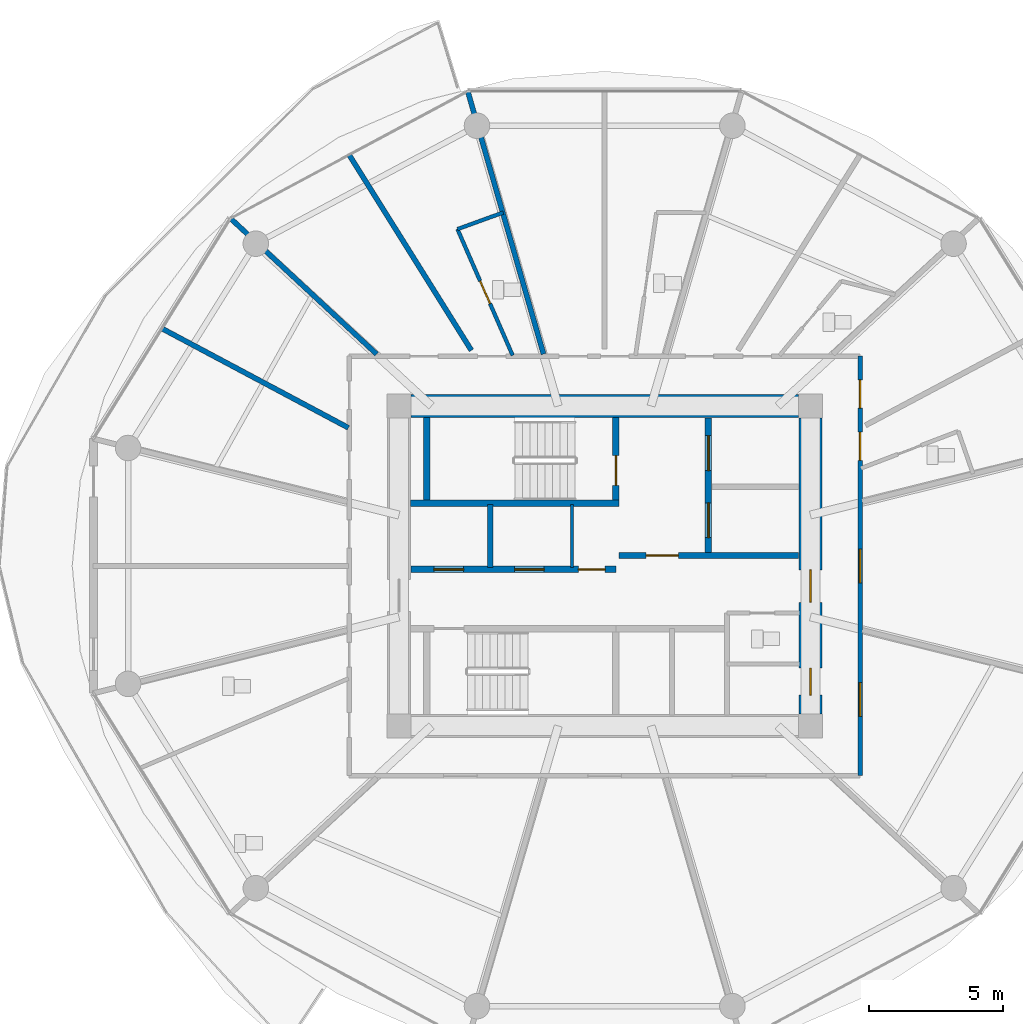
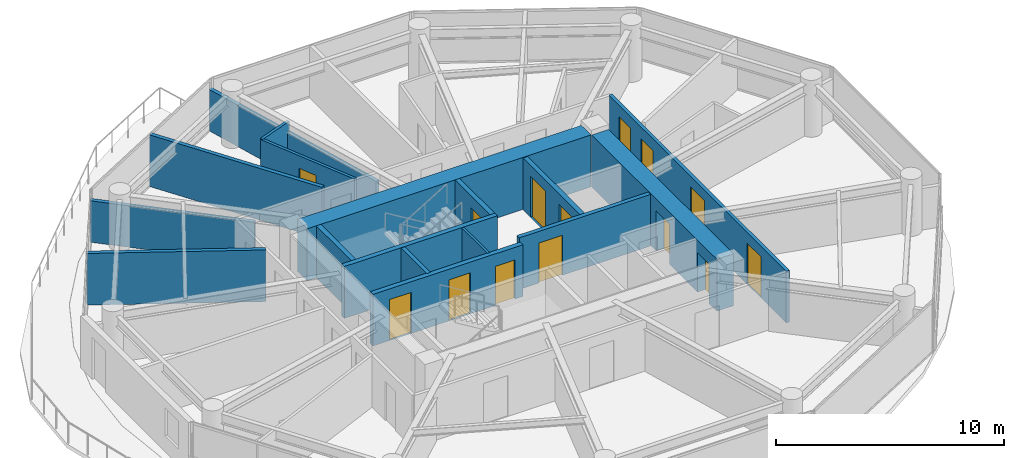
# One storey, part 16 of 27: 17 walls, 14 doors, 14 openings.
"""IFC4 building model written with IfcOpenShell, lengths in metres."""

import ifcopenshell
import ifcopenshell.guid

model = None  # the IFC model being written
_history = None  # IfcOwnerHistory: only IFC2X3 demands one
_inside = {}  # id of a spatial element -> (the spatial element, [elements in it])
_under = {}  # id of a project, library or spatial element -> (it, [spatial elements below it])
_declared = {}  # id of a project -> (the project, [libraries it declares])
_typed = {}  # id of a type object -> (the type object, [elements of that type])
_made_of = {}  # id of a material, layer set ... -> (it, [elements and type objects made of it])


def new_model(schema):
    """Start an empty IFC model of exactly this schema.

    Asked for "IFC4X3", IfcOpenShell would pick the latest addendum, in which some entities
    have other attributes; the version numbers below select the first issue.
    IFC2X3 requires an IfcOwnerHistory on every rooted entity: one is made here for all.
    """
    global model, _history
    if schema == "IFC4X3":
        model = ifcopenshell.file(schema_version=(4, 3, 0, 0))
    else:
        model = ifcopenshell.file(schema=schema)
    _inside.clear()
    _under.clear()
    _declared.clear()
    _typed.clear()
    _made_of.clear()
    _history = None
    if model.schema == "IFC2X3":
        org = make("IfcOrganization", Name="unknown")
        user = make(
            "IfcPersonAndOrganization",
            ThePerson=make("IfcPerson", FamilyName="unknown"),
            TheOrganization=org,
        )
        app = make(
            "IfcApplication",
            ApplicationDeveloper=org,
            Version="unknown",
            ApplicationFullName="unknown",
            ApplicationIdentifier="unknown",
        )
        _history = make(
            "IfcOwnerHistory",
            OwningUser=user,
            OwningApplication=app,
            ChangeAction="ADDED",
            CreationDate=0,
        )
    return model


def make(cls, **values):
    """One entity of the class cls with the attributes given. An attribute that is None is left unset."""
    return model.create_entity(
        cls, **{name: value for name, value in values.items() if value is not None}
    )


def rooted(cls, **values):
    """An entity with a GlobalId (a new one), such as an element, a storey or a relation."""
    return make(cls, GlobalId=ifcopenshell.guid.new(), OwnerHistory=_history, **values)


def si_unit(unit_type, name, prefix=None):
    """IfcSIUnit, for example si_unit("LENGTHUNIT", "METRE", prefix="MILLI")."""
    return make("IfcSIUnit", UnitType=unit_type, Prefix=prefix, Name=name)


def assignment(units):
    """IfcUnitAssignment: the units of a project."""
    return None if units is None else make("IfcUnitAssignment", Units=units)


def point(xyz):
    """IfcCartesianPoint."""
    return None if xyz is None else make("IfcCartesianPoint", Coordinates=xyz)


def direction(xyz):
    """IfcDirection."""
    return None if xyz is None else make("IfcDirection", DirectionRatios=xyz)


def frame(location, z_axis=None, x_axis=None):
    """IfcAxis2Placement3D, a coordinate frame: its origin and axes. An axis left out is left unset."""
    return make(
        "IfcAxis2Placement3D",
        Location=point(location),
        Axis=direction(z_axis),
        RefDirection=direction(x_axis),
    )


def frame_2d(location, x_axis=None):
    """IfcAxis2Placement2D, a coordinate frame in the plane: its origin and x axis."""
    return make(
        "IfcAxis2Placement2D", Location=point(location), RefDirection=direction(x_axis)
    )


def origin():
    """The frame at (0, 0, 0) with its axes left unset."""
    return frame((0.0, 0.0, 0.0))


def place(relative_to, where):
    """IfcLocalPlacement: puts the frame where relative to a parent placement (None: the world)."""
    return make(
        "IfcLocalPlacement", PlacementRelTo=relative_to, RelativePlacement=where
    )


def context(
    kind, dimensions, precision=None, world=None, true_north=None, identifier=None
):
    """IfcGeometricRepresentationContext, for example the 3D "Model" context."""
    return make(
        "IfcGeometricRepresentationContext",
        ContextIdentifier=identifier,
        ContextType=kind,
        CoordinateSpaceDimension=dimensions,
        Precision=precision,
        WorldCoordinateSystem=world,
        TrueNorth=true_north,
    )


def subcontext(parent, identifier, kind, view, scale=None):
    """IfcGeometricRepresentationSubContext, for example "Body" below "Model"."""
    return make(
        "IfcGeometricRepresentationSubContext",
        ContextIdentifier=identifier,
        ContextType=kind,
        ParentContext=parent,
        TargetScale=scale,
        TargetView=view,
    )


def project(units=None, contexts=None):
    """IfcProject with its units and contexts."""
    return rooted(
        "IfcProject",
        Name="project",
        RepresentationContexts=contexts,
        UnitsInContext=assignment(units),
    )


def spatial(cls, under=None, at=None, **own):
    """A site, building, storey or space (cls), placed at a placement, below another one or the project."""
    s = rooted(cls, ObjectPlacement=at, **own)
    if under is not None:
        _under.setdefault(under.id(), (under, []))[1].append(s)
    return s


def profile(cls, at=None, kind="AREA", **sizes):
    """A parametric profile (cls). Its sizes go by their IFC names, for example OverallWidth=200.0."""
    return make(cls, ProfileType=kind, Position=at, **sizes)


def rectangle(**sizes):
    """IfcRectangleProfileDef."""
    return profile("IfcRectangleProfileDef", **sizes)


def extrude(swept, where, along, depth):
    """IfcExtrudedAreaSolid: the profile swept, set in the frame where, extruded along a direction by depth."""
    return make(
        "IfcExtrudedAreaSolid",
        SweptArea=swept,
        Position=where,
        ExtrudedDirection=direction(along),
        Depth=depth,
    )


def shape(context_of_items, identifier, shape_type, items):
    """IfcShapeRepresentation: the items that make up one representation, for example the "Body"."""
    return make(
        "IfcShapeRepresentation",
        ContextOfItems=context_of_items,
        RepresentationIdentifier=identifier,
        RepresentationType=shape_type,
        Items=items,
    )


def source(mapping_origin, context_of_items, identifier, shape_type, items):
    """IfcRepresentationMap: a shape defined once, which mapped items show again and again."""
    return make(
        "IfcRepresentationMap",
        MappingOrigin=mapping_origin,
        MappedRepresentation=shape(context_of_items, identifier, shape_type, items),
    )


def transform(
    local_origin,
    x_axis=None,
    y_axis=None,
    z_axis=None,
    scale=None,
    scale2=None,
    scale3=None,
    uniform=True,
):
    """IfcCartesianTransformationOperator3D, or its non-uniform kind. x_axis, y_axis, z_axis: its Axis1, 2, 3."""
    if uniform:
        return make(
            "IfcCartesianTransformationOperator3D",
            Axis1=direction(x_axis),
            Axis2=direction(y_axis),
            LocalOrigin=point(local_origin),
            Scale=scale,
            Axis3=direction(z_axis),
        )
    return make(
        "IfcCartesianTransformationOperator3DnonUniform",
        Axis1=direction(x_axis),
        Axis2=direction(y_axis),
        LocalOrigin=point(local_origin),
        Scale=scale,
        Axis3=direction(z_axis),
        Scale2=scale2,
        Scale3=scale3,
    )


def mapped(mapping_source, mapping_target):
    """IfcMappedItem: shows the shape of a source again, moved by a transform."""
    return make(
        "IfcMappedItem", MappingSource=mapping_source, MappingTarget=mapping_target
    )


def material(Name=None, Category=None):
    """IfcMaterial."""
    return make("IfcMaterial", Name=Name, Category=Category)


def layer(
    of_material, thickness, ventilated=None, Name=None, Category=None, Priority=None
):
    """IfcMaterialLayer: one layer of a wall or slab, of a material (None: an air gap)."""
    return make(
        "IfcMaterialLayer",
        Material=of_material,
        LayerThickness=thickness,
        IsVentilated=ventilated,
        Name=Name,
        Category=Category,
        Priority=Priority,
    )


def layer_set(layers, Name=None):
    """IfcMaterialLayerSet."""
    return make("IfcMaterialLayerSet", MaterialLayers=layers, LayerSetName=Name)


def made_of(thing, what):
    """Note that an element or type object is made of a material, layer set ...; save() writes the relation."""
    if what is not None:
        _made_of.setdefault(what.id(), (what, []))[1].append(thing)
    return thing


def type_object(cls, material=None, **own):
    """A type object (cls), such as IfcWallType, which elements share."""
    return made_of(rooted(cls, **own), material)


def type_shapes(of_type, sources):
    """Give a type object the sources (RepresentationMaps) that its elements show as mapped items."""
    of_type.RepresentationMaps = sources


def element(
    cls,
    number,
    at=None,
    inside=None,
    cuts=None,
    type_object=None,
    material=None,
    context=None,
    identifier="Body",
    shape_type=None,
    held_by="IfcProductDefinitionShape",
    body=None,
    shapes=None,
    **own,
):
    """One element of the class cls, such as IfcWall. Its Tag is "e" and its number.

    at: its placement. inside: the storey or other place that contains it. cuts: it is an
    opening in that element (IfcRelVoidsElement). A single representation is given by context,
    identifier, shape_type and body (its items); several are given by shapes. held_by: the class
    of the entity that holds the representations. save() writes the other relations.
    """
    e = rooted(cls, Tag="e%d" % number, ObjectPlacement=at, **own)
    if body is not None:
        shapes = [shape(context, identifier, shape_type, body)]
    if shapes is not None:
        e.Representation = make(held_by, Representations=shapes)
    if inside is not None:
        _inside.setdefault(inside.id(), (inside, []))[1].append(e)
    if cuts is not None:
        rooted(
            "IfcRelVoidsElement", RelatingBuildingElement=cuts, RelatedOpeningElement=e
        )
    if type_object is not None:
        _typed.setdefault(type_object.id(), (type_object, []))[1].append(e)
    return made_of(e, material)


def fill(opening, filler):
    """IfcRelFillsElement: the door or window that sits in an opening."""
    return rooted(
        "IfcRelFillsElement",
        RelatingOpeningElement=opening,
        RelatedBuildingElement=filler,
    )


def aggregate(whole, parts):
    """IfcRelAggregates: a whole, such as a stair, and the parts it consists of."""
    return rooted("IfcRelAggregates", RelatingObject=whole, RelatedObjects=parts)


def save(model, path):
    """Write the relations noted so far, then the file.

    IfcRelAggregates (storeys below a building ...), IfcRelContainedInSpatialStructure (elements
    in a storey), IfcRelDefinesByType, IfcRelAssociatesMaterial and IfcRelDeclares: one each for
    every whole, place, type object, material and project.
    """
    for whole, parts in _under.values():
        aggregate(whole, parts)
    for where, things in _inside.values():
        rooted(
            "IfcRelContainedInSpatialStructure",
            RelatedElements=things,
            RelatingStructure=where,
        )
    for kind, things in _typed.values():
        rooted("IfcRelDefinesByType", RelatedObjects=things, RelatingType=kind)
    for what, things in _made_of.values():
        rooted("IfcRelAssociatesMaterial", RelatedObjects=things, RelatingMaterial=what)
    for by, libraries in _declared.values():
        rooted("IfcRelDeclares", RelatingContext=by, RelatedDefinitions=libraries)
    model.write(path)


model = new_model("IFC4")

# Units and contexts
model_context = context("Model", 3, precision=1e-05, world=origin(), true_north=direction((0.0, 1.0)))
body_context = subcontext(model_context, "Body", "Model", "MODEL_VIEW")
ifc_project = project(units=[si_unit("LENGTHUNIT", "METRE"), si_unit("AREAUNIT", "SQUARE_METRE"), si_unit("VOLUMEUNIT", "CUBIC_METRE"), si_unit("PLANEANGLEUNIT", "RADIAN"), si_unit("MASSUNIT", "GRAM", prefix="KILO")], contexts=[model_context])

# Site, building, storey
site_placement = place(None, origin())
site = spatial("IfcSite", under=ifc_project, at=site_placement, CompositionType="ELEMENT")
building_placement = place(site_placement, origin())
building = spatial("IfcBuilding", under=site, at=building_placement, Name="Norrkilde Senior Care Towers", CompositionType="ELEMENT")
storey_placement = place(building_placement, frame((0.0, 0.0, 36.85009765625)))
storey = spatial("IfcBuildingStorey", under=building, at=storey_placement, Name="L10", CompositionType="ELEMENT", Elevation=36.85009765625)

# Wall
ifc_material_1 = material(Name="Concrete C60/75", Category="concrete")
ifc_layer_1 = layer(ifc_material_1, 0.85009765625)
ifc_layer_set_1 = layer_set([ifc_layer_1], Name="Concrete C60/75")
wall_type_1 = type_object("IfcWallType", Name="Core Shear Wall Z1 850", PredefinedType="SHEAR", material=ifc_layer_set_1)
shared_shape_1 = source(origin(), body_context, "Body", "SweptSolid", [
    extrude(rectangle(XDim=14.39990234375, YDim=0.85009765625, at=frame_2d((7.199951171875, 0.0))), origin(), (0.0, 0.0, 1.0), 2.789794921875),
])
wall_1_placement = place(storey_placement, frame((-35.199951171875, 5.949951171875, 0.0), z_axis=(0.0, 0.0, 1.0), x_axis=(1.0, 0.0, 0.0)))
element("IfcWall", 1, at=wall_1_placement, inside=storey, type_object=wall_type_1, Name="L10 Core W North Shear Wall", PredefinedType="SHEAR", context=body_context, shape_type="MappedRepresentation", body=[
    mapped(shared_shape_1, transform((0.0, 0.0, 0.0), x_axis=(1.0, 0.0, 0.0), y_axis=(0.0, 1.0, 0.0), z_axis=(0.0, 0.0, 1.0), scale=1.0)),
])

# Wall, openings, doors
shared_shape_2 = source(origin(), body_context, "Body", "SweptSolid", [
    extrude(rectangle(XDim=11.0, YDim=0.85009765625, at=frame_2d((5.5, 0.0))), origin(), (0.0, 0.0, 1.0), 2.789794921875),
])
type_shapes(wall_type_1, [shared_shape_1, shared_shape_2])
wall_2_placement = place(storey_placement, frame((-20.35009765625, 5.5, 0.0), z_axis=(0.0, 0.0, 1.0), x_axis=(0.0, -1.0, 0.0)))
wall_2 = element("IfcWall", 2, at=wall_2_placement, inside=storey, type_object=wall_type_1, Name="L10 Core W East Shear Wall", PredefinedType="SHEAR", context=body_context, shape_type="MappedRepresentation", body=[
    mapped(shared_shape_2, transform((0.0, 0.0, 0.0), x_axis=(1.0, 0.0, 0.0), y_axis=(0.0, 1.0, 0.0), z_axis=(0.0, 0.0, 1.0), scale=1.0)),
])
opening_1_placement = place(wall_2_placement, frame((5.64990234375, 0.0, 0.0)))
opening_1 = element("IfcOpeningElement", 3, at=opening_1_placement, cuts=wall_2, Name="Opening D-04", PredefinedType="OPENING", context=body_context, shape_type="SweptSolid", body=[
    extrude(rectangle(XDim=1.199951171875, YDim=2.14990234375, at=frame_2d((0.60009765625, 1.074951171875))), frame((0.0, 0.43505859375, 0.0), z_axis=(0.0, -1.0, 0.0), x_axis=(1.0, 0.0, 0.0)), (0.0, 0.0, 1.0), 0.8701171875),
])
opening_2_placement = place(wall_2_placement, frame((9.300048828125, 0.0, 0.0)))
opening_2 = element("IfcOpeningElement", 4, at=opening_2_placement, cuts=wall_2, Name="Opening D-10", PredefinedType="OPENING", context=body_context, shape_type="SweptSolid", body=[
    extrude(rectangle(XDim=1.0, YDim=2.10009765625, at=frame_2d((0.5, 1.050048828125))), frame((0.0, 0.43505859375, 0.0), z_axis=(0.0, -1.0, 0.0), x_axis=(1.0, 0.0, 0.0)), (0.0, 0.0, 1.0), 0.8701171875),
])
ifc_material_2 = material(Name="Galvanised Painted Steel", Category="steel")
door_type_1 = type_object("IfcDoorType", Name="Firefighting Lobby Fire Door 1200x2150", OperationType="NOTDEFINED", PredefinedType="DOOR", material=ifc_material_2)
shared_shape_3 = source(origin(), body_context, "Body", "SweptSolid", [
    extrude(rectangle(XDim=1.199951171875, YDim=2.14990234375, at=frame_2d((0.60009765625, 1.074951171875))), frame((0.0, 0.02490234375, 0.0), z_axis=(0.0, -1.0, 0.0), x_axis=(1.0, 0.0, 0.0)), (0.0, 0.0, 1.0), 0.050048828125),
])
type_shapes(door_type_1, [shared_shape_3])
door_1_placement = place(opening_1_placement, frame((1.199951171875, 0.0, 0.0), z_axis=(0.0, 0.0, 1.0), x_axis=(-1.0, 0.0, 0.0)))
door_1 = element("IfcDoor", 5, at=door_1_placement, inside=storey, type_object=door_type_1, Name="L10 Core W East Portal Door", OperationType="SINGLE_SWING_RIGHT", OverallHeight=2.14990234375, OverallWidth=1.199951171875, PredefinedType="DOOR", context=body_context, shape_type="MappedRepresentation", body=[
    mapped(shared_shape_3, transform((0.0, 0.0, 0.0), x_axis=(1.0, 0.0, 0.0), y_axis=(0.0, 1.0, 0.0), z_axis=(0.0, 0.0, 1.0), scale=1.0)),
])
fill(opening_1, door_1)
door_type_2 = type_object("IfcDoorType", Name="Plant and Riser Rated Door 1000x2100", OperationType="NOTDEFINED", PredefinedType="DOOR", material=ifc_material_2)
shared_shape_4 = source(origin(), body_context, "Body", "SweptSolid", [
    extrude(rectangle(XDim=1.0, YDim=2.10009765625, at=frame_2d((0.5, 1.050048828125))), frame((0.0, 0.02490234375, 0.0), z_axis=(0.0, -1.0, 0.0), x_axis=(1.0, 0.0, 0.0)), (0.0, 0.0, 1.0), 0.050048828125),
])
type_shapes(door_type_2, [shared_shape_4])
door_2_placement = place(opening_2_placement, frame((1.0, 0.0, 0.0), z_axis=(0.0, 0.0, 1.0), x_axis=(-1.0, 0.0, 0.0)))
door_2 = element("IfcDoor", 6, at=door_2_placement, inside=storey, type_object=door_type_2, Name="L10 Ventilation Riser W Door", OperationType="SINGLE_SWING_RIGHT", OverallHeight=2.10009765625, OverallWidth=1.0, PredefinedType="DOOR", context=body_context, shape_type="MappedRepresentation", body=[
    mapped(shared_shape_4, transform((0.0, 0.0, 0.0), x_axis=(1.0, 0.0, 0.0), y_axis=(0.0, 1.0, 0.0), z_axis=(0.0, 0.0, 1.0), scale=1.0)),
])
fill(opening_2, door_2)

# Walls
ifc_material_3 = material(Name="Concrete C45/55", Category="concrete")
ifc_layer_2 = layer(ifc_material_3, 0.239990234375)
ifc_layer_set_2 = layer_set([ifc_layer_2], Name="Concrete C45/55")
wall_type_2 = type_object("IfcWallType", Name="Shaft and Stair Enclosure Wall 240", PredefinedType="PARTITIONING", material=ifc_layer_set_2)
shared_shape_5 = source(origin(), body_context, "Body", "SweptSolid", [
    extrude(rectangle(XDim=7.76513671875, YDim=0.239990234375, at=frame_2d((3.882568359375, 0.0))), origin(), (0.0, 0.0, 1.0), 2.789794921875),
])
wall_3_placement = place(storey_placement, frame((-35.22509765625, 2.330078125, 0.0), z_axis=(0.0, 0.0, 1.0), x_axis=(1.0, 0.0, 0.0)))
element("IfcWall", 7, at=wall_3_placement, inside=storey, type_object=wall_type_2, Name="WL-INT-L10-W-ST1S", PredefinedType="PARTITIONING", context=body_context, shape_type="MappedRepresentation", body=[
    mapped(shared_shape_5, transform((0.0, 0.0, 0.0), x_axis=(1.0, 0.0, 0.0), y_axis=(0.0, 1.0, 0.0), z_axis=(0.0, 0.0, 1.0), scale=1.0)),
])
shared_shape_6 = source(origin(), body_context, "Body", "SweptSolid", [
    extrude(rectangle(XDim=3.074951171875, YDim=0.239990234375, at=frame_2d((1.53759765625, 0.0))), origin(), (0.0, 0.0, 1.0), 2.789794921875),
])
type_shapes(wall_type_2, [shared_shape_5, shared_shape_6])
wall_4_placement = place(storey_placement, frame((-34.6201171875, 2.449951171875, 0.0), z_axis=(0.0, 0.0, 1.0), x_axis=(0.0, 1.0, 0.0)))
element("IfcWall", 8, at=wall_4_placement, inside=storey, type_object=wall_type_2, Name="WL-INT-L10-W-ST1W", PredefinedType="PARTITIONING", context=body_context, shape_type="MappedRepresentation", body=[
    mapped(shared_shape_6, transform((0.0, 0.0, 0.0), x_axis=(1.0, 0.0, 0.0), y_axis=(0.0, 1.0, 0.0), z_axis=(0.0, 0.0, 1.0), scale=1.0)),
])

# Wall, opening, door
wall_5_placement = place(storey_placement, frame((-27.580078125, 2.449951171875, 0.0), z_axis=(0.0, 0.0, 1.0), x_axis=(0.0, 1.0, 0.0)))
wall_5 = element("IfcWall", 9, at=wall_5_placement, inside=storey, type_object=wall_type_2, Name="WL-INT-L10-W-ST1E", PredefinedType="PARTITIONING", context=body_context, shape_type="MappedRepresentation", body=[
    mapped(shared_shape_6, transform((0.0, 0.0, 0.0), x_axis=(1.0, 0.0, 0.0), y_axis=(0.0, 1.0, 0.0), z_axis=(0.0, 0.0, 1.0), scale=1.0)),
])
opening_3_placement = place(wall_5_placement, frame((0.550048828125, 0.0, 0.0)))
opening_3 = element("IfcOpeningElement", 10, at=opening_3_placement, cuts=wall_5, Name="Opening D-03", PredefinedType="OPENING", context=body_context, shape_type="SweptSolid", body=[
    extrude(rectangle(XDim=1.10009765625, YDim=2.14990234375, at=frame_2d((0.550048828125, 1.074951171875))), frame((0.0, 0.1298828125, 0.0), z_axis=(0.0, -1.0, 0.0), x_axis=(1.0, 0.0, 0.0)), (0.0, 0.0, 1.0), 0.260009765625),
])
door_type_3 = type_object("IfcDoorType", Name="Stairwell Protected Fire Door 1100x2150", OperationType="NOTDEFINED", PredefinedType="DOOR", material=ifc_material_2)
shared_shape_7 = source(origin(), body_context, "Body", "SweptSolid", [
    extrude(rectangle(XDim=1.10009765625, YDim=2.14990234375, at=frame_2d((0.550048828125, 1.074951171875))), frame((0.0, 0.02490234375, 0.0), z_axis=(0.0, -1.0, 0.0), x_axis=(1.0, 0.0, 0.0)), (0.0, 0.0, 1.0), 0.050048828125),
])
type_shapes(door_type_3, [shared_shape_7])
door_3_placement = place(opening_3_placement, origin())
door_3 = element("IfcDoor", 11, at=door_3_placement, inside=storey, type_object=door_type_3, Name="L10 Stair W1 Fire Door", OperationType="SINGLE_SWING_LEFT", OverallHeight=2.14990234375, OverallWidth=1.10009765625, PredefinedType="DOOR", context=body_context, shape_type="MappedRepresentation", body=[
    mapped(shared_shape_7, transform((0.0, 0.0, 0.0), x_axis=(1.0, 0.0, 0.0), y_axis=(0.0, 1.0, 0.0), z_axis=(0.0, 0.0, 1.0), scale=1.0)),
])
fill(opening_3, door_3)

# Wall, openings, doors
ifc_layer_3 = layer(ifc_material_3, 0.239990234375)
ifc_layer_set_3 = layer_set([ifc_layer_3], Name="Concrete C45/55")
wall_type_3 = type_object("IfcWallType", Name="Lift and Plant Rated Enclosure Partition 240", PredefinedType="PARTITIONING", material=ifc_layer_set_3)
shared_shape_8 = source(origin(), body_context, "Body", "SweptSolid", [
    extrude(rectangle(XDim=5.0, YDim=0.239990234375, at=frame_2d((2.5, 0.0))), origin(), (0.0, 0.0, 1.0), 2.77490234375),
])
wall_6_placement = place(storey_placement, frame((-24.139892578125, 0.5, 0.0), z_axis=(0.0, 0.0, 1.0), x_axis=(0.0, 1.0, 0.0)))
wall_6 = element("IfcWall", 12, at=wall_6_placement, inside=storey, type_object=wall_type_3, Name="WL-INT-L10-W-FFLE", PredefinedType="PARTITIONING", context=body_context, shape_type="MappedRepresentation", body=[
    mapped(shared_shape_8, transform((0.0, 0.0, 0.0), x_axis=(1.0, 0.0, 0.0), y_axis=(0.0, 1.0, 0.0), z_axis=(0.0, 0.0, 1.0), scale=1.0)),
])
opening_4_placement = place(wall_6_placement, frame((3.050048828125, 0.0, 0.0)))
opening_4 = element("IfcOpeningElement", 13, at=opening_4_placement, cuts=wall_6, Name="Opening LD-02", PredefinedType="OPENING", context=body_context, shape_type="SweptSolid", body=[
    extrude(rectangle(XDim=1.300048828125, YDim=2.199951171875, at=frame_2d((0.64990234375, 1.10009765625))), frame((0.0, 0.1298828125, 0.0), z_axis=(0.0, -1.0, 0.0), x_axis=(1.0, 0.0, 0.0)), (0.0, 0.0, 1.0), 0.260009765625),
])
opening_5_placement = place(wall_6_placement, frame((0.550048828125, 0.0, 0.0)))
opening_5 = element("IfcOpeningElement", 14, at=opening_5_placement, cuts=wall_6, Name="Opening LD-02", PredefinedType="OPENING", context=body_context, shape_type="SweptSolid", body=[
    extrude(rectangle(XDim=1.300048828125, YDim=2.199951171875, at=frame_2d((0.64990234375, 1.10009765625))), frame((0.0, 0.1298828125, 0.0), z_axis=(0.0, -1.0, 0.0), x_axis=(1.0, 0.0, 0.0)), (0.0, 0.0, 1.0), 0.260009765625),
])
ifc_material_4 = material(Name="Stainless Steel", Category="steel")
door_type_4 = type_object("IfcDoorType", Name="Stretcher and FFL Landing Sliding Door 1300x2200", OperationType="NOTDEFINED", PredefinedType="DOOR", material=ifc_material_4)
shared_shape_9 = source(origin(), body_context, "Body", "SweptSolid", [
    extrude(rectangle(XDim=1.300048828125, YDim=2.199951171875, at=frame_2d((0.64990234375, 1.10009765625))), frame((0.0, 0.02490234375, 0.0), z_axis=(0.0, -1.0, 0.0), x_axis=(1.0, 0.0, 0.0)), (0.0, 0.0, 1.0), 0.050048828125),
])
type_shapes(door_type_4, [shared_shape_9])
door_4_placement = place(opening_4_placement, origin())
door_4 = element("IfcDoor", 15, at=door_4_placement, inside=storey, type_object=door_type_4, Name="L10 Firefighting Lift W1 Landing Door", OperationType="SLIDING_TO_LEFT", OverallHeight=2.199951171875, OverallWidth=1.300048828125, PredefinedType="DOOR", context=body_context, shape_type="MappedRepresentation", body=[
    mapped(shared_shape_9, transform((0.0, 0.0, 0.0), x_axis=(1.0, 0.0, 0.0), y_axis=(0.0, 1.0, 0.0), z_axis=(0.0, 0.0, 1.0), scale=1.0)),
])
fill(opening_4, door_4)
door_5_placement = place(opening_5_placement, origin())
door_5 = element("IfcDoor", 16, at=door_5_placement, inside=storey, type_object=door_type_4, Name="L10 Stretcher Lift W1 Landing Door", OperationType="SLIDING_TO_RIGHT", OverallHeight=2.199951171875, OverallWidth=1.300048828125, PredefinedType="DOOR", context=body_context, shape_type="MappedRepresentation", body=[
    mapped(shared_shape_9, transform((0.0, 0.0, 0.0), x_axis=(1.0, 0.0, 0.0), y_axis=(0.0, 1.0, 0.0), z_axis=(0.0, 0.0, 1.0), scale=1.0)),
])
fill(opening_5, door_5)

# Wall, opening, door
ifc_layer_4 = layer(ifc_material_3, 0.2099609375)
ifc_layer_set_4 = layer_set([ifc_layer_4], Name="Concrete C45/55")
wall_type_4 = type_object("IfcWallType", Name="Firefighting Lobby Wall 210", PredefinedType="PARTITIONING", material=ifc_layer_set_4)
shared_shape_10 = source(origin(), body_context, "Body", "SweptSolid", [
    extrude(rectangle(XDim=6.659912109375, YDim=0.2099609375, at=frame_2d((3.330078125, 0.0))), origin(), (0.0, 0.0, 1.0), 2.77490234375),
])
type_shapes(wall_type_4, [shared_shape_10])
wall_7_placement = place(storey_placement, frame((-27.4599609375, 0.389892578125, 0.0), z_axis=(0.0, 0.0, 1.0), x_axis=(1.0, 0.0, 0.0)))
wall_7 = element("IfcWall", 17, at=wall_7_placement, inside=storey, type_object=wall_type_4, Name="WL-INT-L10-W-FFLS", PredefinedType="PARTITIONING", context=body_context, shape_type="MappedRepresentation", body=[
    mapped(shared_shape_10, transform((0.0, 0.0, 0.0), x_axis=(1.0, 0.0, 0.0), y_axis=(0.0, 1.0, 0.0), z_axis=(0.0, 0.0, 1.0), scale=1.0)),
])
opening_6_placement = place(wall_7_placement, frame((1.0, 0.0, 0.0)))
opening_6 = element("IfcOpeningElement", 18, at=opening_6_placement, cuts=wall_7, Name="Opening D-04", PredefinedType="OPENING", context=body_context, shape_type="SweptSolid", body=[
    extrude(rectangle(XDim=1.199951171875, YDim=2.14990234375, at=frame_2d((0.60009765625, 1.074951171875))), frame((0.0, 0.114990234375, 0.0), z_axis=(0.0, -1.0, 0.0), x_axis=(1.0, 0.0, 0.0)), (0.0, 0.0, 1.0), 0.22998046875),
])
door_6_placement = place(opening_6_placement, frame((1.199951171875, 0.0, 0.0), z_axis=(0.0, 0.0, 1.0), x_axis=(-1.0, 0.0, 0.0)))
door_6 = element("IfcDoor", 19, at=door_6_placement, inside=storey, type_object=door_type_1, Name="L10 Firefighting Lobby W Door", OperationType="SINGLE_SWING_LEFT", OverallHeight=2.14990234375, OverallWidth=1.199951171875, PredefinedType="DOOR", context=body_context, shape_type="MappedRepresentation", body=[
    mapped(shared_shape_3, transform((0.0, 0.0, 0.0), x_axis=(1.0, 0.0, 0.0), y_axis=(0.0, 1.0, 0.0), z_axis=(0.0, 0.0, 1.0), scale=1.0)),
])
fill(opening_6, door_6)

# Wall, openings, doors
shared_shape_11 = source(origin(), body_context, "Body", "SweptSolid", [
    extrude(rectangle(XDim=7.619873046875, YDim=0.239990234375, at=frame_2d((3.81005859375, 0.0))), origin(), (0.0, 0.0, 1.0), 2.77490234375),
])
type_shapes(wall_type_3, [shared_shape_8, shared_shape_11])
wall_8_placement = place(storey_placement, frame((-35.199951171875, -0.1298828125, 0.0), z_axis=(0.0, 0.0, 1.0), x_axis=(1.0, 0.0, 0.0)))
wall_8 = element("IfcWall", 20, at=wall_8_placement, inside=storey, type_object=wall_type_3, Name="WL-INT-L10-W-PKAS", PredefinedType="PARTITIONING", context=body_context, shape_type="MappedRepresentation", body=[
    mapped(shared_shape_11, transform((0.0, 0.0, 0.0), x_axis=(1.0, 0.0, 0.0), y_axis=(0.0, 1.0, 0.0), z_axis=(0.0, 0.0, 1.0), scale=1.0)),
])
opening_7_placement = place(wall_8_placement, frame((6.219970703125, 0.0, 0.0)))
opening_7 = element("IfcOpeningElement", 21, at=opening_7_placement, cuts=wall_8, Name="Opening D-10", PredefinedType="OPENING", context=body_context, shape_type="SweptSolid", body=[
    extrude(rectangle(XDim=1.0, YDim=2.10009765625, at=frame_2d((0.5, 1.050048828125))), frame((0.0, 0.1298828125, 0.0), z_axis=(0.0, -1.0, 0.0), x_axis=(1.0, 0.0, 0.0)), (0.0, 0.0, 1.0), 0.260009765625),
])
opening_8_placement = place(wall_8_placement, frame((0.85009765625, 0.0, 0.0)))
opening_8 = element("IfcOpeningElement", 22, at=opening_8_placement, cuts=wall_8, Name="Opening LD-01", PredefinedType="OPENING", context=body_context, shape_type="SweptSolid", body=[
    extrude(rectangle(XDim=1.10009765625, YDim=2.199951171875, at=frame_2d((0.550048828125, 1.10009765625))), frame((0.0, 0.1298828125, 0.0), z_axis=(0.0, -1.0, 0.0), x_axis=(1.0, 0.0, 0.0)), (0.0, 0.0, 1.0), 0.260009765625),
])
opening_9_placement = place(wall_8_placement, frame((3.85009765625, 0.0, 0.0)))
opening_9 = element("IfcOpeningElement", 23, at=opening_9_placement, cuts=wall_8, Name="Opening LD-01", PredefinedType="OPENING", context=body_context, shape_type="SweptSolid", body=[
    extrude(rectangle(XDim=1.10009765625, YDim=2.199951171875, at=frame_2d((0.550048828125, 1.10009765625))), frame((0.0, 0.1298828125, 0.0), z_axis=(0.0, -1.0, 0.0), x_axis=(1.0, 0.0, 0.0)), (0.0, 0.0, 1.0), 0.260009765625),
])
door_7_placement = place(opening_7_placement, frame((1.0, 0.0, 0.0), z_axis=(0.0, 0.0, 1.0), x_axis=(-1.0, 0.0, 0.0)))
door_7 = element("IfcDoor", 24, at=door_7_placement, inside=storey, type_object=door_type_2, Name="L10 Electrical Riser W Door", OperationType="SINGLE_SWING_LEFT", OverallHeight=2.10009765625, OverallWidth=1.0, PredefinedType="DOOR", context=body_context, shape_type="MappedRepresentation", body=[
    mapped(shared_shape_4, transform((0.0, 0.0, 0.0), x_axis=(1.0, 0.0, 0.0), y_axis=(0.0, 1.0, 0.0), z_axis=(0.0, 0.0, 1.0), scale=1.0)),
])
fill(opening_7, door_7)
door_type_5 = type_object("IfcDoorType", Name="Lift Landing Sliding Door 1100x2200", OperationType="NOTDEFINED", PredefinedType="DOOR", material=ifc_material_4)
shared_shape_12 = source(origin(), body_context, "Body", "SweptSolid", [
    extrude(rectangle(XDim=1.10009765625, YDim=2.199951171875, at=frame_2d((0.550048828125, 1.10009765625))), frame((0.0, 0.02490234375, 0.0), z_axis=(0.0, -1.0, 0.0), x_axis=(1.0, 0.0, 0.0)), (0.0, 0.0, 1.0), 0.050048828125),
])
type_shapes(door_type_5, [shared_shape_12])
door_8_placement = place(opening_8_placement, origin())
door_8 = element("IfcDoor", 25, at=door_8_placement, inside=storey, type_object=door_type_5, Name="L10 Passenger Lift W1 Landing Door", OperationType="SLIDING_TO_LEFT", OverallHeight=2.199951171875, OverallWidth=1.10009765625, PredefinedType="DOOR", context=body_context, shape_type="MappedRepresentation", body=[
    mapped(shared_shape_12, transform((0.0, 0.0, 0.0), x_axis=(1.0, 0.0, 0.0), y_axis=(0.0, 1.0, 0.0), z_axis=(0.0, 0.0, 1.0), scale=1.0)),
])
fill(opening_8, door_8)
door_9_placement = place(opening_9_placement, origin())
door_9 = element("IfcDoor", 26, at=door_9_placement, inside=storey, type_object=door_type_5, Name="L10 Passenger Lift W2 Landing Door", OperationType="SLIDING_TO_RIGHT", OverallHeight=2.199951171875, OverallWidth=1.10009765625, PredefinedType="DOOR", context=body_context, shape_type="MappedRepresentation", body=[
    mapped(shared_shape_12, transform((0.0, 0.0, 0.0), x_axis=(1.0, 0.0, 0.0), y_axis=(0.0, 1.0, 0.0), z_axis=(0.0, 0.0, 1.0), scale=1.0)),
])
fill(opening_9, door_9)

# Walls
ifc_material_5 = material(Name="Gypsum Acoustic Board")
ifc_layer_5 = layer(ifc_material_5, 0.114990234375)
ifc_layer_set_5 = layer_set([ifc_layer_5], Name="Gypsum Acoustic Board")
wall_type_5 = type_object("IfcWallType", Name="Internal Room Partition 115", PredefinedType="PARTITIONING", material=ifc_layer_set_5)
shared_shape_13 = source(origin(), body_context, "Body", "SweptSolid", [
    extrude(rectangle(XDim=2.330078125, YDim=0.114990234375, at=frame_2d((1.1650390625, 0.0))), origin(), (0.0, 0.0, 1.0), 2.77490234375),
])
type_shapes(wall_type_5, [shared_shape_13])
wall_9_placement = place(storey_placement, frame((-29.2099609375, -0.050048828125, 0.0), z_axis=(0.0, 0.0, 1.0), x_axis=(0.0, 1.0, 0.0)))
element("IfcWall", 27, at=wall_9_placement, inside=storey, type_object=wall_type_5, Name="WL-INT-L10-W-RISW", PredefinedType="PARTITIONING", context=body_context, shape_type="MappedRepresentation", body=[
    mapped(shared_shape_13, transform((0.0, 0.0, 0.0), x_axis=(1.0, 0.0, 0.0), y_axis=(0.0, 1.0, 0.0), z_axis=(0.0, 0.0, 1.0), scale=1.0)),
])
ifc_layer_6 = layer(ifc_material_3, 0.199951171875)
ifc_layer_set_6 = layer_set([ifc_layer_6], Name="Concrete C45/55")
wall_type_6 = type_object("IfcWallType", Name="Shaft Division and Plant Partition 200", PredefinedType="PARTITIONING", material=ifc_layer_set_6)
shared_shape_14 = source(origin(), body_context, "Body", "SweptSolid", [
    extrude(rectangle(XDim=2.330078125, YDim=0.199951171875, at=frame_2d((1.1650390625, 0.0))), origin(), (0.0, 0.0, 1.0), 2.77490234375),
])
type_shapes(wall_type_6, [shared_shape_14])
wall_10_placement = place(storey_placement, frame((-32.25, -0.050048828125, 0.0), z_axis=(0.0, 0.0, 1.0), x_axis=(0.0, 1.0, 0.0)))
element("IfcWall", 28, at=wall_10_placement, inside=storey, type_object=wall_type_6, Name="WL-INT-L10-W-PL12", PredefinedType="PARTITIONING", context=body_context, shape_type="MappedRepresentation", body=[
    mapped(shared_shape_14, transform((0.0, 0.0, 0.0), x_axis=(1.0, 0.0, 0.0), y_axis=(0.0, 1.0, 0.0), z_axis=(0.0, 0.0, 1.0), scale=1.0)),
])

# Wall, openings, doors
ifc_layer_7 = layer(ifc_material_5, 0.1650390625)
ifc_layer_set_7 = layer_set([ifc_layer_7], Name="Gypsum Acoustic Board")
wall_type_7 = type_object("IfcWallType", Name="Corridor Rated Partition 165", PredefinedType="PARTITIONING", material=ifc_layer_set_7)
shared_shape_15 = source(origin(), body_context, "Body", "SweptSolid", [
    extrude(rectangle(XDim=15.60009765625, YDim=0.1650390625, at=frame_2d((7.800048828125, 0.0))), origin(), (0.0, 0.0, 1.0), 2.77490234375),
])
type_shapes(wall_type_7, [shared_shape_15])
wall_11_placement = place(storey_placement, frame((-18.5, 7.800048828125, 0.0), z_axis=(0.0, 0.0, 1.0), x_axis=(0.0, -1.0, 0.0)))
wall_11 = element("IfcWall", 29, at=wall_11_placement, inside=storey, type_object=wall_type_7, Name="WL-INT-L10-W-CRW-E-0", PredefinedType="PARTITIONING", context=body_context, shape_type="MappedRepresentation", body=[
    mapped(shared_shape_15, transform((0.0, 0.0, 0.0), x_axis=(1.0, 0.0, 0.0), y_axis=(0.0, 1.0, 0.0), z_axis=(0.0, 0.0, 1.0), scale=1.0)),
])
opening_10_placement = place(wall_11_placement, frame((12.141357421875, 0.0, 0.0)))
opening_10 = element("IfcOpeningElement", 30, at=opening_10_placement, cuts=wall_11, Name="Opening D-05", PredefinedType="OPENING", context=body_context, shape_type="SweptSolid", body=[
    extrude(rectangle(XDim=1.25, YDim=2.199951171875, at=frame_2d((0.625, 1.10009765625))), frame((0.0, 0.092529296875, 0.0), z_axis=(0.0, -1.0, 0.0), x_axis=(1.0, 0.0, 0.0)), (0.0, 0.0, 1.0), 0.18505859375),
])
opening_11_placement = place(wall_11_placement, frame((7.175048828125, 0.0, 0.0)))
opening_11 = element("IfcOpeningElement", 31, at=opening_11_placement, cuts=wall_11, Name="Opening D-05", PredefinedType="OPENING", context=body_context, shape_type="SweptSolid", body=[
    extrude(rectangle(XDim=1.25, YDim=2.199951171875, at=frame_2d((0.625, 1.10009765625))), frame((0.0, 0.092529296875, 0.0), z_axis=(0.0, -1.0, 0.0), x_axis=(1.0, 0.0, 0.0)), (0.0, 0.0, 1.0), 0.18505859375),
])
opening_12_placement = place(wall_11_placement, frame((2.826416015625, 0.0, 0.0)))
opening_12 = element("IfcOpeningElement", 32, at=opening_12_placement, cuts=wall_11, Name="Opening D-06", PredefinedType="OPENING", context=body_context, shape_type="SweptSolid", body=[
    extrude(rectangle(XDim=1.050048828125, YDim=2.14990234375, at=frame_2d((0.52490234375, 1.074951171875))), frame((0.0, 0.092529296875, 0.0), z_axis=(0.0, -1.0, 0.0), x_axis=(1.0, 0.0, 0.0)), (0.0, 0.0, 1.0), 0.18505859375),
])
opening_13_placement = place(wall_11_placement, frame((0.88134765625, 0.0, 0.0)))
opening_13 = element("IfcOpeningElement", 33, at=opening_13_placement, cuts=wall_11, Name="Opening D-06", PredefinedType="OPENING", context=body_context, shape_type="SweptSolid", body=[
    extrude(rectangle(XDim=1.050048828125, YDim=2.14990234375, at=frame_2d((0.52490234375, 1.074951171875))), frame((0.0, 0.092529296875, 0.0), z_axis=(0.0, -1.0, 0.0), x_axis=(1.0, 0.0, 0.0)), (0.0, 0.0, 1.0), 0.18505859375),
])
ifc_material_6 = material(Name="Nordic Ash Timber", Category="wood")
door_type_6 = type_object("IfcDoorType", Name="Care Bedroom Bariatric Door 1250x2200", OperationType="NOTDEFINED", PredefinedType="DOOR", material=ifc_material_6)
shared_shape_16 = source(origin(), body_context, "Body", "SweptSolid", [
    extrude(rectangle(XDim=1.25, YDim=2.199951171875, at=frame_2d((0.625, 1.10009765625))), frame((0.0, 0.02490234375, 0.0), z_axis=(0.0, -1.0, 0.0), x_axis=(1.0, 0.0, 0.0)), (0.0, 0.0, 1.0), 0.050048828125),
])
type_shapes(door_type_6, [shared_shape_16])
door_10_placement = place(opening_10_placement, frame((1.25, 0.0, 0.0), z_axis=(0.0, 0.0, 1.0), x_axis=(-1.0, 0.0, 0.0)))
door_10 = element("IfcDoor", 34, at=door_10_placement, inside=storey, type_object=door_type_6, Name="L10 Care Coordination Charting Office Door", OperationType="SINGLE_SWING_LEFT", OverallHeight=2.199951171875, OverallWidth=1.25, PredefinedType="DOOR", context=body_context, shape_type="MappedRepresentation", body=[
    mapped(shared_shape_16, transform((0.0, 0.0, 0.0), x_axis=(1.0, 0.0, 0.0), y_axis=(0.0, 1.0, 0.0), z_axis=(0.0, 0.0, 1.0), scale=1.0)),
])
fill(opening_10, door_10)
door_11_placement = place(opening_11_placement, frame((1.25, 0.0, 0.0), z_axis=(0.0, 0.0, 1.0), x_axis=(-1.0, 0.0, 0.0)))
door_11 = element("IfcDoor", 35, at=door_11_placement, inside=storey, type_object=door_type_6, Name="L10 Geriatric Rehabilitation Clinic Door", OperationType="SINGLE_SWING_RIGHT", OverallHeight=2.199951171875, OverallWidth=1.25, PredefinedType="DOOR", context=body_context, shape_type="MappedRepresentation", body=[
    mapped(shared_shape_16, transform((0.0, 0.0, 0.0), x_axis=(1.0, 0.0, 0.0), y_axis=(0.0, 1.0, 0.0), z_axis=(0.0, 0.0, 1.0), scale=1.0)),
])
fill(opening_11, door_11)
door_type_7 = type_object("IfcDoorType", Name="Apartment Entrance Fire Door 1050x2150", OperationType="NOTDEFINED", PredefinedType="DOOR", material=ifc_material_6)
shared_shape_17 = source(origin(), body_context, "Body", "SweptSolid", [
    extrude(rectangle(XDim=1.050048828125, YDim=2.14990234375, at=frame_2d((0.52490234375, 1.074951171875))), frame((0.0, 0.02490234375, 0.0), z_axis=(0.0, -1.0, 0.0), x_axis=(1.0, 0.0, 0.0)), (0.0, 0.0, 1.0), 0.050048828125),
])
type_shapes(door_type_7, [shared_shape_17])
door_12_placement = place(opening_12_placement, frame((1.050048828125, 0.0, 0.0), z_axis=(0.0, 0.0, 1.0), x_axis=(-1.0, 0.0, 0.0)))
door_12 = element("IfcDoor", 36, at=door_12_placement, inside=storey, type_object=door_type_7, Name="L10 Care Suite 1000A Entrance Door", OperationType="SINGLE_SWING_LEFT", OverallHeight=2.14990234375, OverallWidth=1.050048828125, PredefinedType="DOOR", context=body_context, shape_type="MappedRepresentation", body=[
    mapped(shared_shape_17, transform((0.0, 0.0, 0.0), x_axis=(1.0, 0.0, 0.0), y_axis=(0.0, 1.0, 0.0), z_axis=(0.0, 0.0, 1.0), scale=1.0)),
])
fill(opening_12, door_12)
door_13_placement = place(opening_13_placement, frame((1.050048828125, 0.0, 0.0), z_axis=(0.0, 0.0, 1.0), x_axis=(-1.0, 0.0, 0.0)))
door_13 = element("IfcDoor", 37, at=door_13_placement, inside=storey, type_object=door_type_7, Name="L10 Therapy Day Lounge 00 Door", OperationType="SINGLE_SWING_RIGHT", OverallHeight=2.14990234375, OverallWidth=1.050048828125, PredefinedType="DOOR", context=body_context, shape_type="MappedRepresentation", body=[
    mapped(shared_shape_17, transform((0.0, 0.0, 0.0), x_axis=(1.0, 0.0, 0.0), y_axis=(0.0, 1.0, 0.0), z_axis=(0.0, 0.0, 1.0), scale=1.0)),
])
fill(opening_13, door_13)

# Walls
ifc_layer_8 = layer(ifc_material_5, 0.18994140625)
ifc_layer_set_8 = layer_set([ifc_layer_8], Name="Gypsum Acoustic Board")
wall_type_8 = type_object("IfcWallType", Name="Unit Demising Acoustic Wall 190", PredefinedType="PARTITIONING", material=ifc_layer_set_8)
shared_shape_18 = source(origin(), body_context, "Body", "SweptSolid", [
    extrude(rectangle(XDim=7.4345703125, YDim=0.18994140625, at=frame_2d((3.71728515625, 0.0))), origin(), (0.0, 0.0, 1.0), 2.224853515625),
])
wall_12_placement = place(storey_placement, frame((-36.48291015625, 7.8798828125, 0.0), z_axis=(0.0, 0.0, 1.0), x_axis=(-0.732651956848, 0.680603489652, 0.0)))
element("IfcWall", 38, at=wall_12_placement, inside=storey, type_object=wall_type_8, Name="WL-INT-L10-W-DEM-04-0", PredefinedType="PARTITIONING", context=body_context, shape_type="MappedRepresentation", body=[
    mapped(shared_shape_18, transform((0.0, 0.0, 0.0), x_axis=(1.0, 0.0, 0.0), y_axis=(0.0, 1.0, 0.0), z_axis=(0.0, 0.0, 1.0), scale=1.0)),
])
shared_shape_19 = source(origin(), body_context, "Body", "SweptSolid", [
    extrude(rectangle(XDim=10.196044921875, YDim=0.18994140625, at=frame_2d((5.09814453125, 0.0))), origin(), (0.0, 0.0, 1.0), 2.224853515625),
])
wall_13_placement = place(storey_placement, frame((-30.27294921875, 7.8798828125, 0.0), z_axis=(0.0, 0.0, 1.0), x_axis=(-0.277136420347, 0.960830580549, 0.0)))
element("IfcWall", 39, at=wall_13_placement, inside=storey, type_object=wall_type_8, Name="WL-INT-L10-W-DEM-03-0", PredefinedType="PARTITIONING", context=body_context, shape_type="MappedRepresentation", body=[
    mapped(shared_shape_19, transform((0.0, 0.0, 0.0), x_axis=(1.0, 0.0, 0.0), y_axis=(0.0, 1.0, 0.0), z_axis=(0.0, 0.0, 1.0), scale=1.0)),
])
shared_shape_20 = source(origin(), body_context, "Body", "SweptSolid", [
    extrude(rectangle(XDim=8.59814453125, YDim=0.18994140625, at=frame_2d((4.299072265625, 0.0))), origin(), (0.0, 0.0, 1.0), 2.77490234375),
])
wall_14_placement = place(storey_placement, frame((-32.95703125, 8.017333984375, 0.0), z_axis=(0.0, 0.0, 1.0), x_axis=(-0.530039776395, 0.847972779893, 0.0)))
element("IfcWall", 40, at=wall_14_placement, inside=storey, type_object=wall_type_8, Name="WL-INT-L10-W-CMID-03", PredefinedType="PARTITIONING", context=body_context, shape_type="MappedRepresentation", body=[
    mapped(shared_shape_20, transform((0.0, 0.0, 0.0), x_axis=(1.0, 0.0, 0.0), y_axis=(0.0, 1.0, 0.0), z_axis=(0.0, 0.0, 1.0), scale=1.0)),
])

# Wall, opening, door
ifc_layer_9 = layer(ifc_material_5, 0.139892578125)
ifc_layer_set_9 = layer_set([ifc_layer_9], Name="Gypsum Acoustic Board")
wall_type_9 = type_object("IfcWallType", Name="En-suite Wet Room Wall 140", PredefinedType="PARTITIONING", material=ifc_layer_set_9)
shared_shape_21 = source(origin(), body_context, "Body", "SweptSolid", [
    extrude(rectangle(XDim=5.125732421875, YDim=0.139892578125, at=frame_2d((2.56298828125, 0.0))), origin(), (0.0, 0.0, 1.0), 2.77490234375),
])
wall_15_placement = place(storey_placement, frame((-31.421875, 7.830078125, 0.0), z_axis=(0.0, 0.0, 1.0), x_axis=(-0.400473994842, 0.916308124735, 0.0)))
wall_15 = element("IfcWall", 41, at=wall_15_placement, inside=storey, type_object=wall_type_9, Name="WL-INT-L10-W-ES-03A", PredefinedType="PARTITIONING", context=body_context, shape_type="MappedRepresentation", body=[
    mapped(shared_shape_21, transform((0.0, 0.0, 0.0), x_axis=(1.0, 0.0, 0.0), y_axis=(0.0, 1.0, 0.0), z_axis=(0.0, 0.0, 1.0), scale=1.0)),
])
opening_14_placement = place(wall_15_placement, frame((2.102783203125, 0.0, 0.0)))
opening_14 = element("IfcOpeningElement", 42, at=opening_14_placement, cuts=wall_15, Name="Opening D-08", PredefinedType="OPENING", context=body_context, shape_type="SweptSolid", body=[
    extrude(rectangle(XDim=0.919921875, YDim=2.10009765625, at=frame_2d((0.4599609375, 1.050048828125))), frame((0.0, 0.079833984375, 0.0), z_axis=(0.0, -1.0, 0.0), x_axis=(1.0, 0.0, 0.0)), (0.0, 0.0, 1.0), 0.159912109375),
])
door_type_8 = type_object("IfcDoorType", Name="Accessible Wet Room Door 920x2100", OperationType="NOTDEFINED", PredefinedType="DOOR", material=ifc_material_6)
shared_shape_22 = source(origin(), body_context, "Body", "SweptSolid", [
    extrude(rectangle(XDim=0.919921875, YDim=2.10009765625, at=frame_2d((0.4599609375, 1.050048828125))), frame((0.0, 0.02490234375, 0.0), z_axis=(0.0, -1.0, 0.0), x_axis=(1.0, 0.0, 0.0)), (0.0, 0.0, 1.0), 0.050048828125),
])
type_shapes(door_type_8, [shared_shape_22])
door_14_placement = place(opening_14_placement, origin())
door_14 = element("IfcDoor", 43, at=door_14_placement, inside=storey, type_object=door_type_8, Name="L10 Care Suite 1003A Bathroom Door", OperationType="SINGLE_SWING_LEFT", OverallHeight=2.10009765625, OverallWidth=0.919921875, PredefinedType="DOOR", context=body_context, shape_type="MappedRepresentation", body=[
    mapped(shared_shape_22, transform((0.0, 0.0, 0.0), x_axis=(1.0, 0.0, 0.0), y_axis=(0.0, 1.0, 0.0), z_axis=(0.0, 0.0, 1.0), scale=1.0)),
])
fill(opening_14, door_14)

# Walls
shared_shape_23 = source(origin(), body_context, "Body", "SweptSolid", [
    extrude(rectangle(XDim=1.811279296875, YDim=0.139892578125, at=frame_2d((0.90576171875, 0.0))), origin(), (0.0, 0.0, 1.0), 2.77490234375),
])
type_shapes(wall_type_9, [shared_shape_21, shared_shape_23])
wall_16_placement = place(storey_placement, frame((-33.474609375, 12.52685546875, 0.0), z_axis=(0.0, 0.0, 1.0), x_axis=(0.940009682452, 0.341147764021, 0.0)))
element("IfcWall", 44, at=wall_16_placement, inside=storey, type_object=wall_type_9, Name="WL-INT-L10-W-EF-03A", PredefinedType="PARTITIONING", context=body_context, shape_type="MappedRepresentation", body=[
    mapped(shared_shape_23, transform((0.0, 0.0, 0.0), x_axis=(1.0, 0.0, 0.0), y_axis=(0.0, 1.0, 0.0), z_axis=(0.0, 0.0, 1.0), scale=1.0)),
])
shared_shape_24 = source(origin(), body_context, "Body", "SweptSolid", [
    extrude(rectangle(XDim=7.873291015625, YDim=0.18994140625, at=frame_2d((3.9365234375, 0.0))), origin(), (0.0, 0.0, 1.0), 2.77490234375),
])
type_shapes(wall_type_8, [shared_shape_18, shared_shape_19, shared_shape_20, shared_shape_24])
wall_17_placement = place(storey_placement, frame((-37.530029296875, 5.1376953125, 0.0), z_axis=(0.0, 0.0, 1.0), x_axis=(-0.882666052726, 0.470000680175, 0.0)))
element("IfcWall", 45, at=wall_17_placement, inside=storey, type_object=wall_type_8, Name="WL-INT-L10-W-MID-04", PredefinedType="PARTITIONING", context=body_context, shape_type="MappedRepresentation", body=[
    mapped(shared_shape_24, transform((0.0, 0.0, 0.0), x_axis=(1.0, 0.0, 0.0), y_axis=(0.0, 1.0, 0.0), z_axis=(0.0, 0.0, 1.0), scale=1.0)),
])

save(model, "model.ifc")
